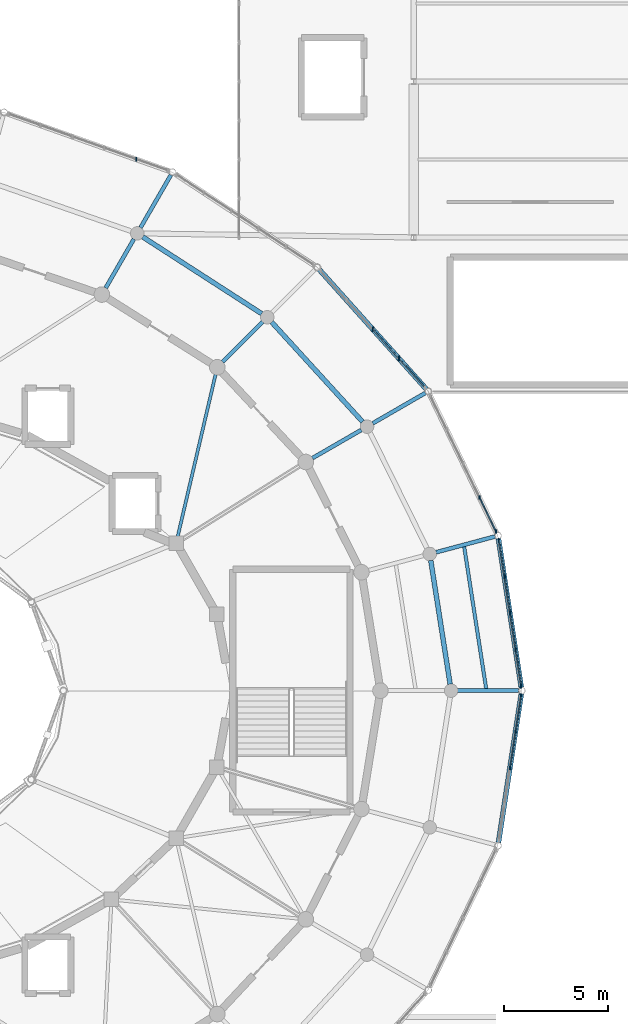
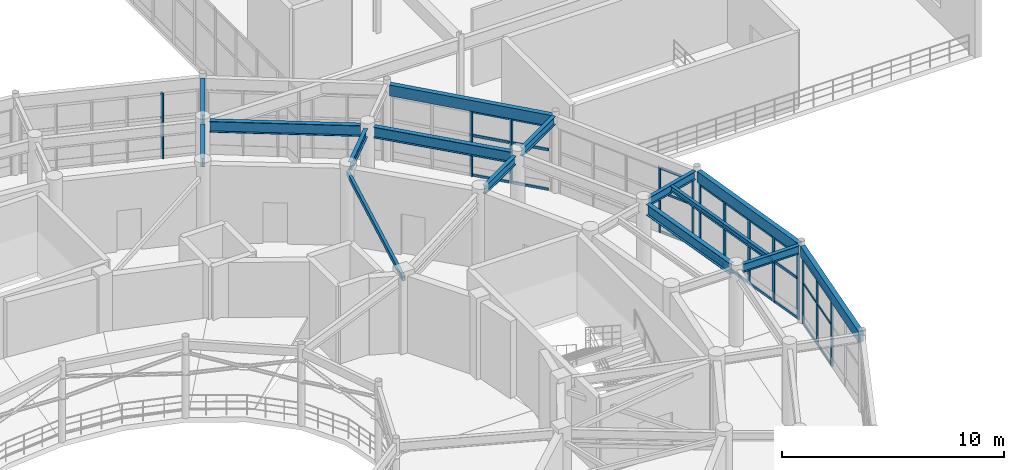
# One storey, part 61 of 112: 41 members, 14 beams, 5 elements without a shape of their own.
"""IFC4 building model written with IfcOpenShell, lengths in metres."""

from ifc_helpers import new_model, si_unit, direction, frame, origin, origin_2d, place, context, subcontext, project, spatial, rectangle, hollow_rectangle, i_section, extrude, material, material_profile, profile_set, type_object, element, aggregate, save


model = new_model("IFC4")

# Units and contexts
model_context = context("Model", 3, precision=1e-05, world=origin(), true_north=direction((0.0, 1.0)))
body_context = subcontext(model_context, "Body", "Model", "MODEL_VIEW")
ifc_project = project(units=[si_unit("LENGTHUNIT", "METRE"), si_unit("AREAUNIT", "SQUARE_METRE"), si_unit("VOLUMEUNIT", "CUBIC_METRE"), si_unit("PLANEANGLEUNIT", "RADIAN"), si_unit("MASSUNIT", "GRAM", prefix="KILO")], contexts=[model_context])

# Site, building, storey
site_placement = place(None, origin())
site = spatial("IfcSite", under=ifc_project, at=site_placement, CompositionType="ELEMENT")
building_placement = place(site_placement, origin())
building = spatial("IfcBuilding", under=site, at=building_placement, Name="Cinderbank Siding Concert Hall", CompositionType="ELEMENT")
storey_placement = place(building_placement, frame((0.0, 0.0, 10.199951171875)))
storey = spatial("IfcBuildingStorey", under=building, at=storey_placement, Name="L03", CompositionType="ELEMENT", Elevation=10.199951171875)

# Beams
ifc_material_1 = material(Name="Structural steel AS/NZS 3679.1 Grade 350 (340 MPa)", Category="steel")
ifc_material_profile_1 = material_profile(ifc_material_1, i_section(OverallWidth=0.19091796875, OverallDepth=0.46044921875, WebThickness=0.010009765625, FlangeThickness=0.01611328125, at=origin_2d()), Name="460UB82.1", Category="LoadBearing")
ifc_profile_set_1 = profile_set([ifc_material_profile_1], Name="Structural steel AS/NZS 3679.1 Grade 350 (340 MPa)")
beam_type_1 = type_object("IfcBeamType", Name="BM-UB460H 460UB82.1", PredefinedType="BEAM", material=ifc_profile_set_1)
beam_1_placement = place(storey_placement, frame((145.52734375, 55.18359375, 4.011962890625), z_axis=(0.866032896488, 0.499987022033, 0.0), x_axis=(-0.499987022033, 0.866032896488, 0.0)))
element("IfcBeam", 1, at=beam_1_placement, inside=storey, type_object=beam_type_1, Name="L03 Beam BM-UB460H #607", PredefinedType="BEAM", context=body_context, shape_type="SweptSolid", body=[
    extrude(i_section(OverallWidth=0.19091796875, OverallDepth=0.46044921875, WebThickness=0.010009765625, FlangeThickness=0.01611328125, at=origin_2d()), origin(), (0.0, 0.0, 1.0), 2.7158203125),
])
beam_2_placement = place(storey_placement, frame((141.2099609375, 59.81591796875, 4.011962890625), z_axis=(0.707151723938, 0.707061835578, 0.0), x_axis=(-0.707061835578, 0.707151723938, 0.0)))
element("IfcBeam", 2, at=beam_2_placement, inside=storey, type_object=beam_type_1, Name="L03 Beam BM-UB460H #608", PredefinedType="BEAM", context=body_context, shape_type="SweptSolid", body=[
    extrude(i_section(OverallWidth=0.19091796875, OverallDepth=0.46044921875, WebThickness=0.010009765625, FlangeThickness=0.01611328125, at=origin_2d()), origin(), (0.0, 0.0, 1.0), 2.716064453125),
])
beam_3_placement = place(storey_placement, frame((135.58349609375, 63.370361328125, 4.011962890625), z_axis=(0.499987022033, 0.866032896488, 0.0), x_axis=(-0.866032896488, 0.499987022033, 0.0)))
element("IfcBeam", 3, at=beam_3_placement, inside=storey, type_object=beam_type_1, Name="L03 Beam BM-UB460H #609", PredefinedType="BEAM", context=body_context, shape_type="SweptSolid", body=[
    extrude(i_section(OverallWidth=0.19091796875, OverallDepth=0.46044921875, WebThickness=0.010009765625, FlangeThickness=0.01611328125, at=origin_2d()), origin(), (0.0, 0.0, 1.0), 2.7158203125),
])
for number, where, z_axis, x_axis, name in (
    (4, (152.51708984375, 44.0, 4.0517578125), (1.0, 0.0, 0.0), (0.0, 1.0, 0.0), "L03 Beam BM-UB460H #627"),
    (5, (151.477294921875, 50.656005859375, 4.0517578125), (0.965904885504, 0.258897184534, 0.0), (-0.258897184534, 0.965904885504, 0.0), "L03 Beam BM-UB460H #628"),
):
    element("IfcBeam", number, at=place(storey_placement, frame(where, z_axis=z_axis, x_axis=x_axis)), inside=storey, type_object=beam_type_1, Name=name, PredefinedType="BEAM", context=body_context, shape_type="SweptSolid", body=[
        extrude(i_section(OverallWidth=0.19091796875, OverallDepth=0.46044921875, WebThickness=0.010009765625, FlangeThickness=0.01611328125, at=origin_2d()), origin(), (0.0, 0.0, 1.0), 2.928955078125),
    ])
beam_4_placement = place(storey_placement, frame((148.428466796875, 56.8583984375, 4.0517578125), z_axis=(0.866013467834, 0.500020673103, 0.0), x_axis=(-0.500020673103, 0.866013467834, 0.0)))
element("IfcBeam", 6, at=beam_4_placement, inside=storey, type_object=beam_type_1, Name="L03 Beam BM-UB460H #630", PredefinedType="BEAM", context=body_context, shape_type="SweptSolid", body=[
    extrude(i_section(OverallWidth=0.19091796875, OverallDepth=0.46044921875, WebThickness=0.010009765625, FlangeThickness=0.01611328125, at=origin_2d()), origin(), (0.0, 0.0, 1.0), 2.92919921875),
])
beam_5_placement = place(storey_placement, frame((137.258544921875, 66.271484375, 4.0517578125), z_axis=(0.499958157915, 0.866049559976, 0.0), x_axis=(-0.866049559976, 0.499958157915, 0.0)))
element("IfcBeam", 7, at=beam_5_placement, inside=storey, type_object=beam_type_1, Name="L03 Beam BM-UB460H #632", PredefinedType="BEAM", context=body_context, shape_type="SweptSolid", body=[
    extrude(i_section(OverallWidth=0.19091796875, OverallDepth=0.46044921875, WebThickness=0.010009765625, FlangeThickness=0.01611328125, at=origin_2d()), origin(), (0.0, 0.0, 1.0), 2.928955078125),
])
ifc_material_profile_2 = material_profile(ifc_material_1, i_section(OverallWidth=0.22802734375, OverallDepth=0.60693359375, WebThickness=0.01123046875, FlangeThickness=0.017333984375, at=origin_2d()), Name="610UB113", Category="LoadBearing")
ifc_profile_set_2 = profile_set([ifc_material_profile_2], Name="Structural steel AS/NZS 3679.1 Grade 350 (340 MPa)")
beam_type_2 = type_object("IfcBeamType", Name="BM-UB610M 610UB113", PredefinedType="BEAM", material=ifc_profile_set_2)
beam_6_placement = place(storey_placement, frame((152.15087890625, 44.313232421875, 3.9384765625), z_axis=(-0.154637914322, 0.987971211855, 0.0), x_axis=(-0.987971211855, -0.154637914322, 0.0)))
element("IfcBeam", 8, at=beam_6_placement, inside=storey, type_object=beam_type_2, Name="L03 Beam BM-UB610M #545", PredefinedType="BEAM", context=body_context, shape_type="SweptSolid", body=[
    extrude(i_section(OverallWidth=0.22802734375, OverallDepth=0.60693359375, WebThickness=0.01123046875, FlangeThickness=0.017333984375, at=origin_2d()), origin(), (0.0, 0.0, 1.0), 6.02001953125),
])
beam_7_placement = place(storey_placement, frame((147.940185546875, 56.93408203125, 3.9384765625), z_axis=(-0.67395874418, 0.73876898361, 0.0), x_axis=(-0.73876898361, -0.67395874418, 0.0)))
element("IfcBeam", 9, at=beam_7_placement, inside=storey, type_object=beam_type_2, Name="L03 Beam BM-UB610M #547", PredefinedType="BEAM", context=body_context, shape_type="SweptSolid", body=[
    extrude(i_section(OverallWidth=0.22802734375, OverallDepth=0.60693359375, WebThickness=0.01123046875, FlangeThickness=0.017333984375, at=origin_2d()), origin(), (0.0, 0.0, 1.0), 6.48681640625),
])
beam_8_placement = place(storey_placement, frame((143.08837890625, 62.13232421875, 3.9384765625), z_axis=(-0.840219727246, 0.542246078775, 0.0), x_axis=(-0.542246078775, -0.840219727246, 0.0)))
element("IfcBeam", 10, at=beam_8_placement, inside=storey, type_object=beam_type_2, Name="L03 Beam BM-UB610M #548", PredefinedType="BEAM", context=body_context, shape_type="SweptSolid", body=[
    extrude(i_section(OverallWidth=0.22802734375, OverallDepth=0.60693359375, WebThickness=0.01123046875, FlangeThickness=0.017333984375, at=origin_2d()), origin(), (0.0, 0.0, 1.0), 6.810302734375),
])

# Curtain wall, members
ifc_material_2 = material(Name="Anodised aluminium alloy 6063-T6", Category="aluminium")
curtain_wall_type_1 = type_object("IfcCurtainWallType", Name="CW-02 Unitised Acoustic Curtain Wall 7800x4400", PredefinedType="NOTDEFINED", material=ifc_material_2)
curtain_wall_1_placement = place(storey_placement, origin())
curtain_wall_1 = element("IfcCurtainWall", 11, at=curtain_wall_1_placement, inside=storey, type_object=curtain_wall_type_1, Name="L03 Curtain Wall CW-02 #26", PredefinedType="NOTDEFINED")
ifc_material_profile_3 = material_profile(ifc_material_2, rectangle(XDim=0.06005859375, YDim=0.159912109375, at=origin_2d()), Name="ALU-MULL-60x160", Category="LoadBearing")
ifc_profile_set_3 = profile_set([ifc_material_profile_3], Name="Anodised aluminium alloy 6063-T6")
member_type_1 = type_object("IfcMemberType", Name="CW-ML1 Mullion 60x160", PredefinedType="MULLION", material=ifc_profile_set_3)
member_1_placement = place(storey_placement, frame((154.3564453125, 51.658203125, 0.0), z_axis=(0.0, 0.0, 1.0), x_axis=(1.0, 0.0, 0.0)))
member_1 = element("IfcMember", 12, at=member_1_placement, type_object=member_type_1, Name="CW-L03-026 Mullion 0", PredefinedType="MULLION", context=body_context, shape_type="SweptSolid", body=[
    extrude(rectangle(XDim=0.06005859375, YDim=0.159912109375, at=origin_2d()), origin(), (0.0, 0.0, 1.0), 3.616943359375),
])
member_2_placement = place(storey_placement, frame((153.566650390625, 53.292724609375, 0.0), z_axis=(0.0, 0.0, 1.0), x_axis=(1.0, 0.0, 0.0)))
member_2 = element("IfcMember", 13, at=member_2_placement, type_object=member_type_1, Name="CW-L03-026 Mullion 1", PredefinedType="MULLION", context=body_context, shape_type="SweptSolid", body=[
    extrude(rectangle(XDim=0.06005859375, YDim=0.159912109375, at=origin_2d()), origin(), (0.0, 0.0, 1.0), 3.616943359375),
])

curtain_wall_type_2 = type_object("IfcCurtainWallType", Name="CW-12 Unitised Acoustic Curtain Wall 5800x3500", PredefinedType="NOTDEFINED", material=ifc_material_2)
curtain_wall_2_placement = place(storey_placement, origin())
curtain_wall_2 = element("IfcCurtainWall", 14, at=curtain_wall_2_placement, inside=storey, type_object=curtain_wall_type_2, Name="L03 Curtain Wall CW-12 #48", PredefinedType="NOTDEFINED")
member_3_placement = place(storey_placement, frame((155.027587890625, 40.27294921875, 0.0), z_axis=(0.0, 0.0, 1.0), x_axis=(1.0, 0.0, 0.0)))
member_3 = element("IfcMember", 15, at=member_3_placement, type_object=member_type_1, Name="CW-L03-048 Mullion 2", PredefinedType="MULLION", context=body_context, shape_type="SweptSolid", body=[
    extrude(rectangle(XDim=0.06005859375, YDim=0.159912109375, at=origin_2d()), origin(), (0.0, 0.0, 1.0), 3.6669921875),
])
member_4_placement = place(storey_placement, frame((155.29638671875, 42.0244140625, 0.0), z_axis=(0.0, 0.0, 1.0), x_axis=(1.0, 0.0, 0.0)))
member_4 = element("IfcMember", 16, at=member_4_placement, type_object=member_type_1, Name="CW-L03-048 Mullion 3", PredefinedType="MULLION", context=body_context, shape_type="SweptSolid", body=[
    extrude(rectangle(XDim=0.06005859375, YDim=0.159912109375, at=origin_2d()), origin(), (0.0, 0.0, 1.0), 3.6669921875),
])
member_5_placement = place(storey_placement, frame((155.5654296875, 43.775634765625, 0.0), z_axis=(0.0, 0.0, 1.0), x_axis=(1.0, 0.0, 0.0)))
member_5 = element("IfcMember", 17, at=member_5_placement, type_object=member_type_1, Name="CW-L03-048 Mullion 4", PredefinedType="MULLION", context=body_context, shape_type="SweptSolid", body=[
    extrude(rectangle(XDim=0.06005859375, YDim=0.159912109375, at=origin_2d()), origin(), (0.0, 0.0, 1.0), 3.6669921875),
])

curtain_wall_type_3 = type_object("IfcCurtainWallType", Name="CW-01 Unitised Acoustic Curtain Wall 8200x4400", PredefinedType="NOTDEFINED", material=ifc_material_2)
curtain_wall_3_placement = place(storey_placement, origin())
curtain_wall_3 = element("IfcCurtainWall", 18, at=curtain_wall_3_placement, inside=storey, type_object=curtain_wall_type_3, Name="L03 Curtain Wall CW-01 #25", PredefinedType="NOTDEFINED")
ifc_material_profile_4 = material_profile(ifc_material_2, rectangle(XDim=0.06494140625, YDim=0.199951171875, at=origin_2d()), Name="ALU-MULL-65x200", Category="LoadBearing")
ifc_profile_set_4 = profile_set([ifc_material_profile_4], Name="Anodised aluminium alloy 6063-T6")
member_type_2 = type_object("IfcMemberType", Name="CW-ML2 Mullion 65x200", PredefinedType="MULLION", material=ifc_profile_set_4)
member_6_placement = place(storey_placement, frame((155.5654296875, 44.224365234375, 0.0), z_axis=(0.0, 0.0, 1.0), x_axis=(1.0, 0.0, 0.0)))
member_6 = element("IfcMember", 19, at=member_6_placement, type_object=member_type_2, Name="CW-L03-025 Mullion 0", PredefinedType="MULLION", context=body_context, shape_type="SweptSolid", body=[
    extrude(rectangle(XDim=0.06494140625, YDim=0.199951171875, at=origin_2d()), origin(), (0.0, 0.0, 1.0), 3.616943359375),
])
member_7_placement = place(storey_placement, frame((155.29638671875, 45.9755859375, 0.0), z_axis=(0.0, 0.0, 1.0), x_axis=(1.0, 0.0, 0.0)))
member_7 = element("IfcMember", 20, at=member_7_placement, type_object=member_type_2, Name="CW-L03-025 Mullion 1", PredefinedType="MULLION", context=body_context, shape_type="SweptSolid", body=[
    extrude(rectangle(XDim=0.06494140625, YDim=0.199951171875, at=origin_2d()), origin(), (0.0, 0.0, 1.0), 3.616943359375),
])
member_8_placement = place(storey_placement, frame((155.027587890625, 47.72705078125, 0.0), z_axis=(0.0, 0.0, 1.0), x_axis=(1.0, 0.0, 0.0)))
member_8 = element("IfcMember", 21, at=member_8_placement, type_object=member_type_2, Name="CW-L03-025 Mullion 2", PredefinedType="MULLION", context=body_context, shape_type="SweptSolid", body=[
    extrude(rectangle(XDim=0.06494140625, YDim=0.199951171875, at=origin_2d()), origin(), (0.0, 0.0, 1.0), 3.616943359375),
])
member_9_placement = place(storey_placement, frame((154.758544921875, 49.478271484375, 0.0), z_axis=(0.0, 0.0, 1.0), x_axis=(1.0, 0.0, 0.0)))
member_9 = element("IfcMember", 22, at=member_9_placement, type_object=member_type_2, Name="CW-L03-025 Mullion 3", PredefinedType="MULLION", context=body_context, shape_type="SweptSolid", body=[
    extrude(rectangle(XDim=0.06494140625, YDim=0.199951171875, at=origin_2d()), origin(), (0.0, 0.0, 1.0), 3.616943359375),
])
member_10_placement = place(storey_placement, frame((154.489501953125, 51.229736328125, 0.0), z_axis=(0.0, 0.0, 1.0), x_axis=(1.0, 0.0, 0.0)))
member_10 = element("IfcMember", 23, at=member_10_placement, type_object=member_type_2, Name="CW-L03-025 Mullion 4", PredefinedType="MULLION", context=body_context, shape_type="SweptSolid", body=[
    extrude(rectangle(XDim=0.06494140625, YDim=0.199951171875, at=origin_2d()), origin(), (0.0, 0.0, 1.0), 3.616943359375),
])

curtain_wall_type_4 = type_object("IfcCurtainWallType", Name="CW-03 Unitised Acoustic Curtain Wall 7400x4400", PredefinedType="NOTDEFINED", material=ifc_material_2)
curtain_wall_4_placement = place(storey_placement, origin())
curtain_wall_4 = element("IfcCurtainWall", 24, at=curtain_wall_4_placement, inside=storey, type_object=curtain_wall_type_4, Name="L03 Curtain Wall CW-03 #27", PredefinedType="NOTDEFINED")
member_11_placement = place(storey_placement, frame((149.68798828125, 59.9755859375, 0.0), z_axis=(0.0, 0.0, 1.0), x_axis=(1.0, 0.0, 0.0)))
member_11 = element("IfcMember", 25, at=member_11_placement, type_object=member_type_2, Name="CW-L03-027 Mullion 1", PredefinedType="MULLION", context=body_context, shape_type="SweptSolid", body=[
    extrude(rectangle(XDim=0.06494140625, YDim=0.199951171875, at=origin_2d()), origin(), (0.0, 0.0, 1.0), 3.616943359375),
])
member_12_placement = place(storey_placement, frame((148.4287109375, 61.38232421875, 0.0), z_axis=(0.0, 0.0, 1.0), x_axis=(1.0, 0.0, 0.0)))
member_12 = element("IfcMember", 26, at=member_12_placement, type_object=member_type_2, Name="CW-L03-027 Mullion 2", PredefinedType="MULLION", context=body_context, shape_type="SweptSolid", body=[
    extrude(rectangle(XDim=0.06494140625, YDim=0.199951171875, at=origin_2d()), origin(), (0.0, 0.0, 1.0), 3.616943359375),
])

# Curtain wall, member
curtain_wall_type_5 = type_object("IfcCurtainWallType", Name="CW-05 Unitised Acoustic Curtain Wall 8200x3800", PredefinedType="NOTDEFINED", material=ifc_material_2)
curtain_wall_5_placement = place(storey_placement, origin())
curtain_wall_5 = element("IfcCurtainWall", 27, at=curtain_wall_5_placement, inside=storey, type_object=curtain_wall_type_5, Name="L03 Curtain Wall CW-05 #29", PredefinedType="NOTDEFINED")
member_13_placement = place(storey_placement, frame((137.05078125, 69.5625, 0.0), z_axis=(0.0, 0.0, 1.0), x_axis=(1.0, 0.0, 0.0)))
member_13 = element("IfcMember", 28, at=member_13_placement, type_object=member_type_2, Name="CW-L03-029 Mullion 1", PredefinedType="MULLION", context=body_context, shape_type="SweptSolid", body=[
    extrude(rectangle(XDim=0.06494140625, YDim=0.199951171875, at=origin_2d()), origin(), (0.0, 0.0, 1.0), 3.616943359375),
])
aggregate(curtain_wall_5, [member_13])

# Member
ifc_material_profile_5 = material_profile(ifc_material_2, rectangle(XDim=0.06005859375, YDim=0.1201171875, at=origin_2d()), Name="ALU-TRAN-60x120", Category="LoadBearing")
ifc_profile_set_5 = profile_set([ifc_material_profile_5], Name="Anodised aluminium alloy 6063-T6")
member_type_3 = type_object("IfcMemberType", Name="CW-TR1 Transom 60x120", PredefinedType="USERDEFINED", material=ifc_profile_set_5)
member_14_placement = place(storey_placement, frame((154.31689453125, 51.739990234375, 0.06005859375), z_axis=(-0.435037415308, 0.900412376238, 0.0), x_axis=(-0.900412376238, -0.435037415308, 0.0)))
member_14 = element("IfcMember", 29, at=member_14_placement, type_object=member_type_3, Name="CW-L03-026 Transom 0-0", ObjectType="TRANSOM", PredefinedType="USERDEFINED", context=body_context, shape_type="SweptSolid", body=[
    extrude(rectangle(XDim=0.06005859375, YDim=0.1201171875, at=origin_2d()), origin(), (0.0, 0.0, 1.0), 1.633544921875),
])

member_15_placement = place(storey_placement, frame((154.31689453125, 51.739990234375, 2.242431640625), z_axis=(-0.435037415308, 0.900412376238, 0.0), x_axis=(-0.900412376238, -0.435037415308, 0.0)))
member_15 = element("IfcMember", 30, at=member_15_placement, type_object=member_type_3, Name="CW-L03-026 Transom 0-1", ObjectType="TRANSOM", PredefinedType="USERDEFINED", context=body_context, shape_type="SweptSolid", body=[
    extrude(rectangle(XDim=0.06005859375, YDim=0.1201171875, at=origin_2d()), origin(), (0.0, 0.0, 1.0), 1.633544921875),
])

member_16_placement = place(storey_placement, frame((154.31689453125, 51.739990234375, 3.55712890625), z_axis=(-0.435037415308, 0.900412376238, 0.0), x_axis=(-0.900412376238, -0.435037415308, 0.0)))
member_16 = element("IfcMember", 31, at=member_16_placement, type_object=member_type_3, Name="CW-L03-026 Transom 0-2", ObjectType="TRANSOM", PredefinedType="USERDEFINED", context=body_context, shape_type="SweptSolid", body=[
    extrude(rectangle(XDim=0.06005859375, YDim=0.1201171875, at=origin_2d()), origin(), (0.0, 0.0, 1.0), 1.633544921875),
])

aggregate(curtain_wall_1, [member_1, member_2, member_14, member_15, member_16])

member_17_placement = place(storey_placement, frame((155.041015625, 40.360595703125, 0.06005859375), z_axis=(0.151873110161, 0.988399999196, 0.0), x_axis=(-0.988399999196, 0.151873110161, 0.0)))
member_17 = element("IfcMember", 32, at=member_17_placement, type_object=member_type_3, Name="CW-L03-048 Transom 2-0", ObjectType="TRANSOM", PredefinedType="USERDEFINED", context=body_context, shape_type="SweptSolid", body=[
    extrude(rectangle(XDim=0.06005859375, YDim=0.1201171875, at=origin_2d()), origin(), (0.0, 0.0, 1.0), 1.5947265625),
])

member_18_placement = place(storey_placement, frame((155.041015625, 40.360595703125, 2.2734375), z_axis=(0.151873110161, 0.988399999196, 0.0), x_axis=(-0.988399999196, 0.151873110161, 0.0)))
member_18 = element("IfcMember", 33, at=member_18_placement, type_object=member_type_3, Name="CW-L03-048 Transom 2-1", ObjectType="TRANSOM", PredefinedType="USERDEFINED", context=body_context, shape_type="SweptSolid", body=[
    extrude(rectangle(XDim=0.06005859375, YDim=0.1201171875, at=origin_2d()), origin(), (0.0, 0.0, 1.0), 1.5947265625),
])

member_19_placement = place(storey_placement, frame((155.041015625, 40.360595703125, 3.60693359375), z_axis=(0.151873110161, 0.988399999196, 0.0), x_axis=(-0.988399999196, 0.151873110161, 0.0)))
member_19 = element("IfcMember", 34, at=member_19_placement, type_object=member_type_3, Name="CW-L03-048 Transom 2-2", ObjectType="TRANSOM", PredefinedType="USERDEFINED", context=body_context, shape_type="SweptSolid", body=[
    extrude(rectangle(XDim=0.06005859375, YDim=0.1201171875, at=origin_2d()), origin(), (0.0, 0.0, 1.0), 1.5947265625),
])

member_20_placement = place(storey_placement, frame((155.31005859375, 42.11181640625, 0.06005859375), z_axis=(0.151723538324, 0.988422970149, 0.0), x_axis=(-0.988422970149, 0.151723538324, 0.0)))
member_20 = element("IfcMember", 35, at=member_20_placement, type_object=member_type_3, Name="CW-L03-048 Transom 3-0", ObjectType="TRANSOM", PredefinedType="USERDEFINED", context=body_context, shape_type="SweptSolid", body=[
    extrude(rectangle(XDim=0.06005859375, YDim=0.1201171875, at=origin_2d()), origin(), (0.0, 0.0, 1.0), 1.5947265625),
])

member_21_placement = place(storey_placement, frame((155.31005859375, 42.11181640625, 2.2734375), z_axis=(0.151723538324, 0.988422970149, 0.0), x_axis=(-0.988422970149, 0.151723538324, 0.0)))
member_21 = element("IfcMember", 36, at=member_21_placement, type_object=member_type_3, Name="CW-L03-048 Transom 3-1", ObjectType="TRANSOM", PredefinedType="USERDEFINED", context=body_context, shape_type="SweptSolid", body=[
    extrude(rectangle(XDim=0.06005859375, YDim=0.1201171875, at=origin_2d()), origin(), (0.0, 0.0, 1.0), 1.5947265625),
])

member_22_placement = place(storey_placement, frame((155.31005859375, 42.11181640625, 3.60693359375), z_axis=(0.151723538324, 0.988422970149, 0.0), x_axis=(-0.988422970149, 0.151723538324, 0.0)))
member_22 = element("IfcMember", 37, at=member_22_placement, type_object=member_type_3, Name="CW-L03-048 Transom 3-2", ObjectType="TRANSOM", PredefinedType="USERDEFINED", context=body_context, shape_type="SweptSolid", body=[
    extrude(rectangle(XDim=0.06005859375, YDim=0.1201171875, at=origin_2d()), origin(), (0.0, 0.0, 1.0), 1.5947265625),
])

aggregate(curtain_wall_2, [member_3, member_4, member_5, member_17, member_18, member_19, member_20, member_21, member_22])

ifc_material_profile_6 = material_profile(ifc_material_2, rectangle(XDim=0.06494140625, YDim=0.14990234375, at=origin_2d()), Name="ALU-TRAN-65x150", Category="LoadBearing")
ifc_profile_set_6 = profile_set([ifc_material_profile_6], Name="Anodised aluminium alloy 6063-T6")
member_type_4 = type_object("IfcMemberType", Name="CW-TR2 Transom 65x150", PredefinedType="USERDEFINED", material=ifc_profile_set_6)
member_23_placement = place(storey_placement, frame((155.552001953125, 44.31201171875, 0.06005859375), z_axis=(-0.151723538324, 0.988422970149, 0.0), x_axis=(-0.988422970149, -0.151723538324, 0.0)))
member_23 = element("IfcMember", 38, at=member_23_placement, type_object=member_type_4, Name="CW-L03-025 Transom 0-0", ObjectType="TRANSOM", PredefinedType="USERDEFINED", context=body_context, shape_type="SweptSolid", body=[
    extrude(rectangle(XDim=0.06494140625, YDim=0.14990234375, at=origin_2d()), origin(), (0.0, 0.0, 1.0), 1.5947265625),
])

member_24_placement = place(storey_placement, frame((155.552001953125, 44.31201171875, 2.242431640625), z_axis=(-0.151723538324, 0.988422970149, 0.0), x_axis=(-0.988422970149, -0.151723538324, 0.0)))
member_24 = element("IfcMember", 39, at=member_24_placement, type_object=member_type_4, Name="CW-L03-025 Transom 0-1", ObjectType="TRANSOM", PredefinedType="USERDEFINED", context=body_context, shape_type="SweptSolid", body=[
    extrude(rectangle(XDim=0.06494140625, YDim=0.14990234375, at=origin_2d()), origin(), (0.0, 0.0, 1.0), 1.5947265625),
])

member_25_placement = place(storey_placement, frame((155.552001953125, 44.31201171875, 3.55712890625), z_axis=(-0.151723538324, 0.988422970149, 0.0), x_axis=(-0.988422970149, -0.151723538324, 0.0)))
member_25 = element("IfcMember", 40, at=member_25_placement, type_object=member_type_4, Name="CW-L03-025 Transom 0-2", ObjectType="TRANSOM", PredefinedType="USERDEFINED", context=body_context, shape_type="SweptSolid", body=[
    extrude(rectangle(XDim=0.06494140625, YDim=0.14990234375, at=origin_2d()), origin(), (0.0, 0.0, 1.0), 1.5947265625),
])

member_26_placement = place(storey_placement, frame((155.283203125, 46.063232421875, 0.06005859375), z_axis=(-0.151873110161, 0.988399999196, 0.0), x_axis=(-0.988399999196, -0.151873110161, 0.0)))
member_26 = element("IfcMember", 41, at=member_26_placement, type_object=member_type_4, Name="CW-L03-025 Transom 1-0", ObjectType="TRANSOM", PredefinedType="USERDEFINED", context=body_context, shape_type="SweptSolid", body=[
    extrude(rectangle(XDim=0.06494140625, YDim=0.14990234375, at=origin_2d()), origin(), (0.0, 0.0, 1.0), 1.5947265625),
])

member_27_placement = place(storey_placement, frame((155.283203125, 46.063232421875, 2.242431640625), z_axis=(-0.151873110161, 0.988399999196, 0.0), x_axis=(-0.988399999196, -0.151873110161, 0.0)))
member_27 = element("IfcMember", 42, at=member_27_placement, type_object=member_type_4, Name="CW-L03-025 Transom 1-1", ObjectType="TRANSOM", PredefinedType="USERDEFINED", context=body_context, shape_type="SweptSolid", body=[
    extrude(rectangle(XDim=0.06494140625, YDim=0.14990234375, at=origin_2d()), origin(), (0.0, 0.0, 1.0), 1.5947265625),
])

member_28_placement = place(storey_placement, frame((155.283203125, 46.063232421875, 3.55712890625), z_axis=(-0.151873110161, 0.988399999196, 0.0), x_axis=(-0.988399999196, -0.151873110161, 0.0)))
member_28 = element("IfcMember", 43, at=member_28_placement, type_object=member_type_4, Name="CW-L03-025 Transom 1-2", ObjectType="TRANSOM", PredefinedType="USERDEFINED", context=body_context, shape_type="SweptSolid", body=[
    extrude(rectangle(XDim=0.06494140625, YDim=0.14990234375, at=origin_2d()), origin(), (0.0, 0.0, 1.0), 1.5947265625),
])

member_29_placement = place(storey_placement, frame((155.01416015625, 47.814697265625, 0.06005859375), z_axis=(-0.151873110161, 0.988399999196, 0.0), x_axis=(-0.988399999196, -0.151873110161, 0.0)))
member_29 = element("IfcMember", 44, at=member_29_placement, type_object=member_type_4, Name="CW-L03-025 Transom 2-0", ObjectType="TRANSOM", PredefinedType="USERDEFINED", context=body_context, shape_type="SweptSolid", body=[
    extrude(rectangle(XDim=0.06494140625, YDim=0.14990234375, at=origin_2d()), origin(), (0.0, 0.0, 1.0), 1.5947265625),
])

member_30_placement = place(storey_placement, frame((155.01416015625, 47.814697265625, 2.242431640625), z_axis=(-0.151873110161, 0.988399999196, 0.0), x_axis=(-0.988399999196, -0.151873110161, 0.0)))
member_30 = element("IfcMember", 45, at=member_30_placement, type_object=member_type_4, Name="CW-L03-025 Transom 2-1", ObjectType="TRANSOM", PredefinedType="USERDEFINED", context=body_context, shape_type="SweptSolid", body=[
    extrude(rectangle(XDim=0.06494140625, YDim=0.14990234375, at=origin_2d()), origin(), (0.0, 0.0, 1.0), 1.5947265625),
])

member_31_placement = place(storey_placement, frame((155.01416015625, 47.814697265625, 3.55712890625), z_axis=(-0.151873110161, 0.988399999196, 0.0), x_axis=(-0.988399999196, -0.151873110161, 0.0)))
member_31 = element("IfcMember", 46, at=member_31_placement, type_object=member_type_4, Name="CW-L03-025 Transom 2-2", ObjectType="TRANSOM", PredefinedType="USERDEFINED", context=body_context, shape_type="SweptSolid", body=[
    extrude(rectangle(XDim=0.06494140625, YDim=0.14990234375, at=origin_2d()), origin(), (0.0, 0.0, 1.0), 1.5947265625),
])

member_32_placement = place(storey_placement, frame((154.7451171875, 49.56591796875, 0.06005859375), z_axis=(-0.151873110161, 0.988399999196, 0.0), x_axis=(-0.988399999196, -0.151873110161, 0.0)))
member_32 = element("IfcMember", 47, at=member_32_placement, type_object=member_type_4, Name="CW-L03-025 Transom 3-0", ObjectType="TRANSOM", PredefinedType="USERDEFINED", context=body_context, shape_type="SweptSolid", body=[
    extrude(rectangle(XDim=0.06494140625, YDim=0.14990234375, at=origin_2d()), origin(), (0.0, 0.0, 1.0), 1.5947265625),
])

member_33_placement = place(storey_placement, frame((154.7451171875, 49.56591796875, 2.242431640625), z_axis=(-0.151873110161, 0.988399999196, 0.0), x_axis=(-0.988399999196, -0.151873110161, 0.0)))
member_33 = element("IfcMember", 48, at=member_33_placement, type_object=member_type_4, Name="CW-L03-025 Transom 3-1", ObjectType="TRANSOM", PredefinedType="USERDEFINED", context=body_context, shape_type="SweptSolid", body=[
    extrude(rectangle(XDim=0.06494140625, YDim=0.14990234375, at=origin_2d()), origin(), (0.0, 0.0, 1.0), 1.5947265625),
])

member_34_placement = place(storey_placement, frame((154.7451171875, 49.56591796875, 3.55712890625), z_axis=(-0.151873110161, 0.988399999196, 0.0), x_axis=(-0.988399999196, -0.151873110161, 0.0)))
member_34 = element("IfcMember", 49, at=member_34_placement, type_object=member_type_4, Name="CW-L03-025 Transom 3-2", ObjectType="TRANSOM", PredefinedType="USERDEFINED", context=body_context, shape_type="SweptSolid", body=[
    extrude(rectangle(XDim=0.06494140625, YDim=0.14990234375, at=origin_2d()), origin(), (0.0, 0.0, 1.0), 1.5947265625),
])

aggregate(curtain_wall_3, [member_6, member_7, member_8, member_9, member_10, member_23, member_24, member_25, member_26, member_27, member_28, member_29, member_30, member_31, member_32, member_33, member_34])

member_35_placement = place(storey_placement, frame((150.88427734375, 58.639404296875, 0.06005859375), z_axis=(-0.667025792822, 0.745034624504, 0.0), x_axis=(-0.745034624504, -0.667025792822, 0.0)))
member_35 = element("IfcMember", 50, at=member_35_placement, type_object=member_type_4, Name="CW-L03-027 Transom 0-0", ObjectType="TRANSOM", PredefinedType="USERDEFINED", context=body_context, shape_type="SweptSolid", body=[
    extrude(rectangle(XDim=0.06494140625, YDim=0.14990234375, at=origin_2d()), origin(), (0.0, 0.0, 1.0), 1.699462890625),
])

member_36_placement = place(storey_placement, frame((150.88427734375, 58.639404296875, 2.242431640625), z_axis=(-0.667025792822, 0.745034624504, 0.0), x_axis=(-0.745034624504, -0.667025792822, 0.0)))
member_36 = element("IfcMember", 51, at=member_36_placement, type_object=member_type_4, Name="CW-L03-027 Transom 0-1", ObjectType="TRANSOM", PredefinedType="USERDEFINED", context=body_context, shape_type="SweptSolid", body=[
    extrude(rectangle(XDim=0.06494140625, YDim=0.14990234375, at=origin_2d()), origin(), (0.0, 0.0, 1.0), 1.699462890625),
])

member_37_placement = place(storey_placement, frame((150.88427734375, 58.639404296875, 3.55712890625), z_axis=(-0.667025792822, 0.745034624504, 0.0), x_axis=(-0.745034624504, -0.667025792822, 0.0)))
member_37 = element("IfcMember", 52, at=member_37_placement, type_object=member_type_4, Name="CW-L03-027 Transom 0-2", ObjectType="TRANSOM", PredefinedType="USERDEFINED", context=body_context, shape_type="SweptSolid", body=[
    extrude(rectangle(XDim=0.06494140625, YDim=0.14990234375, at=origin_2d()), origin(), (0.0, 0.0, 1.0), 1.699462890625),
])

member_38_placement = place(storey_placement, frame((149.625, 60.046142578125, 0.06005859375), z_axis=(-0.667017441515, 0.745042101304, 0.0), x_axis=(-0.745042101304, -0.667017441515, 0.0)))
member_38 = element("IfcMember", 53, at=member_38_placement, type_object=member_type_4, Name="CW-L03-027 Transom 1-0", ObjectType="TRANSOM", PredefinedType="USERDEFINED", context=body_context, shape_type="SweptSolid", body=[
    extrude(rectangle(XDim=0.06494140625, YDim=0.14990234375, at=origin_2d()), origin(), (0.0, 0.0, 1.0), 1.698974609375),
])

member_39_placement = place(storey_placement, frame((149.625, 60.046142578125, 2.242431640625), z_axis=(-0.667017441515, 0.745042101304, 0.0), x_axis=(-0.745042101304, -0.667017441515, 0.0)))
member_39 = element("IfcMember", 54, at=member_39_placement, type_object=member_type_4, Name="CW-L03-027 Transom 1-1", ObjectType="TRANSOM", PredefinedType="USERDEFINED", context=body_context, shape_type="SweptSolid", body=[
    extrude(rectangle(XDim=0.06494140625, YDim=0.14990234375, at=origin_2d()), origin(), (0.0, 0.0, 1.0), 1.698974609375),
])

member_40_placement = place(storey_placement, frame((149.625, 60.046142578125, 3.55712890625), z_axis=(-0.667017441515, 0.745042101304, 0.0), x_axis=(-0.745042101304, -0.667017441515, 0.0)))
member_40 = element("IfcMember", 55, at=member_40_placement, type_object=member_type_4, Name="CW-L03-027 Transom 1-2", ObjectType="TRANSOM", PredefinedType="USERDEFINED", context=body_context, shape_type="SweptSolid", body=[
    extrude(rectangle(XDim=0.06494140625, YDim=0.14990234375, at=origin_2d()), origin(), (0.0, 0.0, 1.0), 1.698974609375),
])

aggregate(curtain_wall_4, [member_11, member_12, member_35, member_36, member_37, member_38, member_39, member_40])

# Beams
ifc_material_profile_7 = material_profile(ifc_material_1, i_section(OverallWidth=0.1650390625, OverallDepth=0.303955078125, WebThickness=0.006103515625, FlangeThickness=0.01025390625, at=origin_2d()), Name="310UB40.4", Category="LoadBearing")
ifc_profile_set_7 = profile_set([ifc_material_profile_7], Name="Structural steel AS/NZS 3679.1 Grade 350 (340 MPa)")
beam_type_3 = type_object("IfcBeamType", Name="JS-UB310 310UB40.4", PredefinedType="JOIST", material=ifc_profile_set_7)
beam_9_placement = place(storey_placement, frame((153.88623046875, 44.08837890625, 4.130126953125), z_axis=(-0.153109789384, 0.988209184533, 0.0), x_axis=(-0.988209184533, -0.153109789384, 0.0)))
element("IfcBeam", 56, at=beam_9_placement, inside=storey, type_object=beam_type_3, Name="L03 Beam JS-UB310 #629", PredefinedType="JOIST", context=body_context, shape_type="SweptSolid", body=[
    extrude(i_section(OverallWidth=0.1650390625, OverallDepth=0.303955078125, WebThickness=0.006103515625, FlangeThickness=0.01025390625, at=origin_2d()), origin(), (0.0, 0.0, 1.0), 6.918701171875),
])
ifc_material_3 = material(Name="Spotted gum glulam timber GL18 (42 MPa)", Category="wood")
ifc_material_profile_8 = material_profile(ifc_material_3, rectangle(XDim=0.239990234375, YDim=0.60009765625, at=origin_2d()), Name="GL18-240x600", Category="LoadBearing")
ifc_profile_set_8 = profile_set([ifc_material_profile_8], Name="Spotted gum glulam timber GL18 (42 MPa)")
beam_type_4 = type_object("IfcBeamType", Name="SP-GL600 GL18-240x600", PredefinedType="SPANDREL", material=ifc_profile_set_8)
beam_10_placement = place(storey_placement, frame((155.57666015625, 44.152099609375, 3.98193359375), z_axis=(-0.151813701486, 0.988409125839, 0.0), x_axis=(-0.988409125839, -0.151813701486, 0.0)))
element("IfcBeam", 57, at=beam_10_placement, inside=storey, type_object=beam_type_4, Name="L03 Beam SP-GL600 #569", PredefinedType="SPANDREL", context=body_context, shape_type="SweptSolid", body=[
    extrude(rectangle(XDim=0.239990234375, YDim=0.60009765625, at=origin_2d()), origin(), (0.0, 0.0, 1.0), 7.2333984375),
])
beam_11_placement = place(storey_placement, frame((150.995849609375, 58.5146484375, 3.93212890625), z_axis=(-0.666985816213, 0.745070413432, 0.0), x_axis=(-0.745070413432, -0.666985816213, 0.0)))
element("IfcBeam", 58, at=beam_11_placement, inside=storey, type_object=beam_type_4, Name="L03 Beam SP-GL600 #571", PredefinedType="SPANDREL", context=body_context, shape_type="SweptSolid", body=[
    extrude(rectangle(XDim=0.239990234375, YDim=0.60009765625, at=origin_2d()), origin(), (0.0, 0.0, 1.0), 7.69775390625),
])
beam_12_placement = place(storey_placement, frame((154.478515625, 36.6982421875, 3.98193359375), z_axis=(0.151813701486, 0.988409125839, 0.0), x_axis=(-0.988409125839, 0.151813701486, 0.0)))
element("IfcBeam", 59, at=beam_12_placement, inside=storey, type_object=beam_type_4, Name="L03 Beam SP-GL600 #592", PredefinedType="SPANDREL", context=body_context, shape_type="SweptSolid", body=[
    extrude(rectangle(XDim=0.239990234375, YDim=0.60009765625, at=origin_2d()), origin(), (0.0, 0.0, 1.0), 7.2333984375),
])

# Member
ifc_material_4 = material(Name="Structural steel hollow section AS/NZS 1163 Grade C350L0 (350 MPa)", Category="steel")
ifc_material_profile_9 = material_profile(ifc_material_4, hollow_rectangle(XDim=0.14990234375, YDim=0.25, WallThickness=0.009033203125, at=origin_2d()), Name="250x150x9.0RHS", Category="LoadBearing")
ifc_profile_set_9 = profile_set([ifc_material_profile_9], Name="Structural steel hollow section AS/NZS 1163 Grade C350L0 (350 MPa)")
member_type_5 = type_object("IfcMemberType", Name="TR-RHS250 250x150x9.0RHS Roof Truss", PredefinedType="RAFTER", material=ifc_profile_set_9)
member_41_placement = place(storey_placement, frame((138.97412109375, 51.10009765625, 3.880126953125), z_axis=(0.227577092084, 0.973760066525, 0.0), x_axis=(-0.973760066525, 0.227577092084, 0.0)))
element("IfcMember", 60, at=member_41_placement, inside=storey, type_object=member_type_5, Name="L03 Roof Truss Member TR-RHS250 #2240", PredefinedType="RAFTER", context=body_context, shape_type="SweptSolid", body=[
    extrude(hollow_rectangle(XDim=0.14990234375, YDim=0.25, WallThickness=0.009033203125, at=origin_2d()), origin(), (0.0, 0.0, 1.0), 8.68408203125),
])

save(model, "model.ifc")
